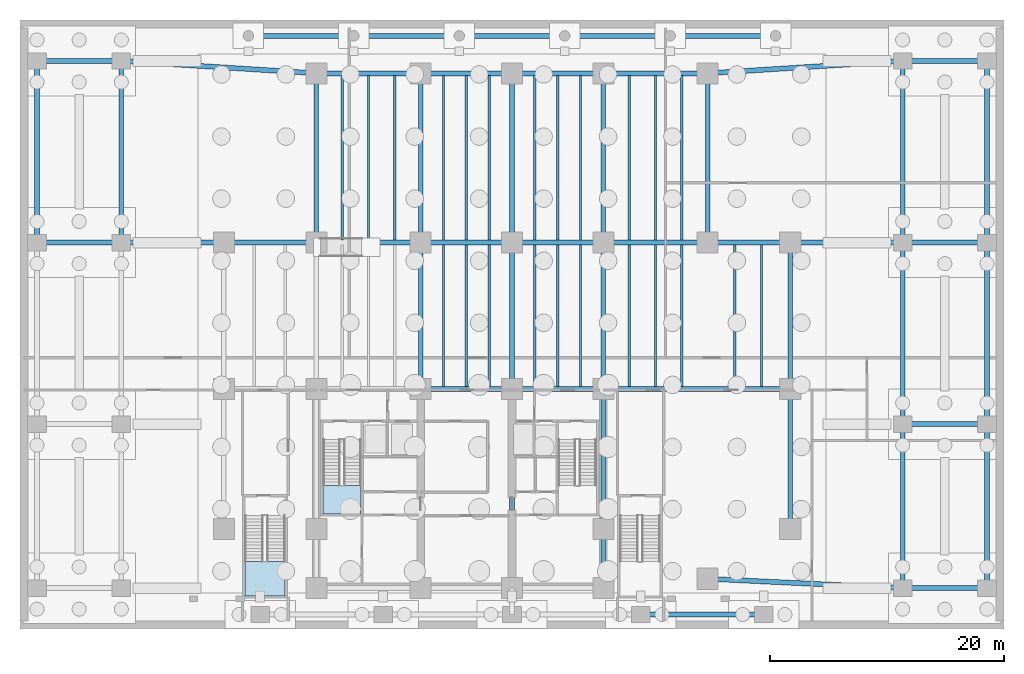
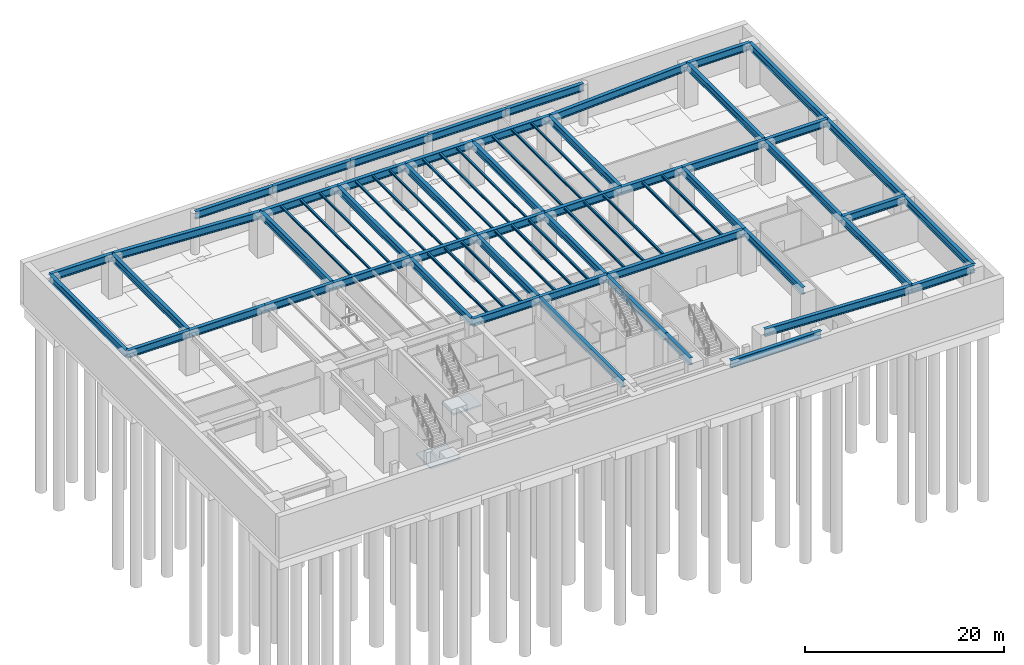
# One storey, part 3 of 12: 74 beams, 2 slabs, 2 elements without a shape of their own.
"""IFC4 building model written with IfcOpenShell, lengths in metres."""

from ifc_helpers import new_model, si_unit, direction, frame, origin, origin_2d, place, context, subcontext, project, spatial, polyline, i_section, outline, extrude, material, layer, layer_set, material_profile, profile_set, type_object, element, aggregate, save


model = new_model("IFC4")

# Units and contexts
model_context = context("Model", 3, precision=1e-05, world=origin(), true_north=direction((0.0, 1.0)))
body_context = subcontext(model_context, "Body", "Model", "MODEL_VIEW")
ifc_project = project(units=[si_unit("LENGTHUNIT", "METRE"), si_unit("AREAUNIT", "SQUARE_METRE"), si_unit("VOLUMEUNIT", "CUBIC_METRE"), si_unit("PLANEANGLEUNIT", "RADIAN"), si_unit("MASSUNIT", "GRAM", prefix="KILO")], contexts=[model_context])

# Site, building, storey
site_placement = place(None, origin())
site = spatial("IfcSite", under=ifc_project, at=site_placement, CompositionType="ELEMENT")
building_placement = place(site_placement, origin())
building = spatial("IfcBuilding", under=site, at=building_placement, Name="Qalmaran Belvedere Hotel", CompositionType="ELEMENT")
storey_placement = place(building_placement, frame((0.0, 0.0, -5.39990234375)))
storey = spatial("IfcBuildingStorey", under=building, at=storey_placement, Name="B01", CompositionType="ELEMENT", Elevation=-5.39990234375)

# Beams
ifc_material_1 = material(Name="Steel S355JR", Category="steel")
ifc_material_profile_1 = material_profile(ifc_material_1, i_section(OverallWidth=0.201904296875, OverallDepth=0.2470703125, WebThickness=0.00732421875, FlangeThickness=0.010986328125, FilletRadius=0.011962890625, at=origin_2d()), Name="W250X49")
ifc_profile_set_1 = profile_set([ifc_material_profile_1], Name="Steel S355JR")
beam_type_1 = type_object("IfcBeamType", Name="BM-JST-W250X49", PredefinedType="JOIST", material=ifc_profile_set_1)
for number, where, z_axis, x_axis, name in (
    (1, (22.5, 33.2080078125, 4.926513671875), (0.0, 1.0, 0.0), (-1.0, 0.0, 0.0), "B01 Podium North-Ballroom Joist 080"),
    (2, (24.75, 33.2080078125, 4.926513671875), (0.0, 1.0, 0.0), (-1.0, 0.0, 0.0), "B01 Podium North-Ballroom Joist 082"),
    (3, (27.0, 33.2080078125, 4.926513671875), (0.0, 1.0, 0.0), (-1.0, 0.0, 0.0), "B01 Podium North-Ballroom Joist 084"),
    (4, (31.14990234375, 33.2080078125, 4.926513671875), (0.0, 1.0, 0.0), (-1.0, 0.0, 0.0), "B01 Podium North-Ballroom Joist 086"),
    (5, (33.10009765625, 33.2080078125, 4.926513671875), (0.0, 1.0, 0.0), (-1.0, 0.0, 0.0), "B01 Podium North-Ballroom Joist 088"),
    (6, (35.050048828125, 33.2080078125, 4.926513671875), (0.0, 1.0, 0.0), (-1.0, 0.0, 0.0), "B01 Podium North-Ballroom Joist 090"),
    (7, (38.949951171875, 33.2080078125, 4.926513671875), (0.0, 1.0, 0.0), (-1.0, 0.0, 0.0), "B01 Podium North-Ballroom Joist 092"),
    (8, (40.89990234375, 33.2080078125, 4.926513671875), (0.0, 1.0, 0.0), (-1.0, 0.0, 0.0), "B01 Podium North-Ballroom Joist 094"),
    (9, (42.85009765625, 33.2080078125, 4.926513671875), (0.0, 1.0, 0.0), (-1.0, 0.0, 0.0), "B01 Podium North-Ballroom Joist 096"),
    (10, (47.0, 33.2080078125, 4.926513671875), (0.0, 1.0, 0.0), (-1.0, 0.0, 0.0), "B01 Podium North-Ballroom Joist 098"),
    (11, (49.25, 33.2080078125, 4.926513671875), (0.0, 1.0, 0.0), (-1.0, 0.0, 0.0), "B01 Podium North-Ballroom Joist 100"),
    (12, (51.5, 33.2080078125, 4.926513671875), (0.0, 1.0, 0.0), (-1.0, 0.0, 0.0), "B01 Podium North-Ballroom Joist 102"),
):
    element("IfcBeam", number, at=place(storey_placement, frame(where, z_axis=z_axis, x_axis=x_axis)), inside=storey, type_object=beam_type_1, Name=name, PredefinedType="JOIST", context=body_context, shape_type="SweptSolid", body=[
        extrude(i_section(OverallWidth=0.201904296875, OverallDepth=0.2470703125, WebThickness=0.00732421875, FlangeThickness=0.010986328125, FilletRadius=0.011962890625, at=origin_2d()), origin(), (0.0, 0.0, 1.0), 14.033935546875),
    ])
ifc_material_profile_2 = material_profile(ifc_material_1, i_section(OverallWidth=0.202880859375, OverallDepth=0.302978515625, WebThickness=0.007568359375, FlangeThickness=0.01318359375, FilletRadius=0.012939453125, at=origin_2d()), Name="W310X60")
ifc_profile_set_2 = profile_set([ifc_material_profile_2], Name="Steel S355JR")
beam_type_2 = type_object("IfcBeamType", Name="BM-JST-W310X60", PredefinedType="JOIST", material=ifc_profile_set_2)
for number, where, z_axis, x_axis, name in (
    (13, (31.14990234375, 20.7080078125, 4.8984375), (0.0, 1.0, 0.0), (-1.0, 0.0, 0.0), "B01 Podium South-Ballroom Joist 085"),
    (14, (33.10009765625, 20.7080078125, 4.8984375), (0.0, 1.0, 0.0), (-1.0, 0.0, 0.0), "B01 Podium South-Ballroom Joist 087"),
    (15, (35.050048828125, 20.7080078125, 4.8984375), (0.0, 1.0, 0.0), (-1.0, 0.0, 0.0), "B01 Podium South-Ballroom Joist 089"),
    (16, (38.949951171875, 20.7080078125, 4.8984375), (0.0, 1.0, 0.0), (-1.0, 0.0, 0.0), "B01 Podium South-Ballroom Joist 091"),
    (17, (40.89990234375, 20.7080078125, 4.8984375), (0.0, 1.0, 0.0), (-1.0, 0.0, 0.0), "B01 Podium South-Ballroom Joist 093"),
    (18, (42.85009765625, 20.7080078125, 4.8984375), (0.0, 1.0, 0.0), (-1.0, 0.0, 0.0), "B01 Podium South-Ballroom Joist 095"),
    (19, (47.0, 20.7080078125, 4.8984375), (0.0, 1.0, 0.0), (-1.0, 0.0, 0.0), "B01 Podium South-Ballroom Joist 097"),
    (20, (49.25, 20.7080078125, 4.8984375), (0.0, 1.0, 0.0), (-1.0, 0.0, 0.0), "B01 Podium South-Ballroom Joist 099"),
    (21, (51.5, 20.7080078125, 4.8984375), (0.0, 1.0, 0.0), (-1.0, 0.0, 0.0), "B01 Podium South-Ballroom Joist 101"),
    (22, (56.0, 20.7080078125, 4.8984375), (0.0, 1.0, 0.0), (-1.0, 0.0, 0.0), "B01 Podium South-Ballroom Joist 103"),
    (23, (58.300048828125, 20.7080078125, 4.8984375), (0.0, 1.0, 0.0), (-1.0, 0.0, 0.0), "B01 Podium South-Ballroom Joist 104"),
):
    element("IfcBeam", number, at=place(storey_placement, frame(where, z_axis=z_axis, x_axis=x_axis)), inside=storey, type_object=beam_type_2, Name=name, PredefinedType="JOIST", context=body_context, shape_type="SweptSolid", body=[
        extrude(i_section(OverallWidth=0.202880859375, OverallDepth=0.302978515625, WebThickness=0.007568359375, FlangeThickness=0.01318359375, FilletRadius=0.012939453125, at=origin_2d()), origin(), (0.0, 0.0, 1.0), 12.083984375),
    ])
ifc_material_profile_3 = material_profile(ifc_material_1, i_section(OverallWidth=0.419921875, OverallDepth=0.9208984375, WebThickness=0.021240234375, FlangeThickness=0.03662109375, FilletRadius=0.02392578125, at=origin_2d()), Name="W920X387")
ifc_profile_set_3 = profile_set([ifc_material_profile_3], Name="Steel S355JR")
beam_type_3 = type_object("IfcBeamType", Name="BM-PG1-W920X387", PredefinedType="USERDEFINED", material=ifc_profile_set_3)
beam_1_placement = place(storey_placement, frame((48.0, 1.25, 4.58935546875), z_axis=(1.0, 0.0, 0.0), x_axis=(0.0, 1.0, 0.0)))
element("IfcBeam", 24, at=beam_1_placement, inside=storey, type_object=beam_type_3, Name="B01 Podium Primary Girder GX04", ObjectType="GIRDER", PredefinedType="USERDEFINED", context=body_context, shape_type="SweptSolid", body=[
    extrude(i_section(OverallWidth=0.419921875, OverallDepth=0.9208984375, WebThickness=0.021240234375, FlangeThickness=0.03662109375, FilletRadius=0.02392578125, at=origin_2d()), origin(), (0.0, 0.0, 1.0), 10.5),
])
beam_2_placement = place(storey_placement, frame((53.699951171875, 4.300048828125, 4.58935546875), z_axis=(0.998847567159, -0.047995182885, 0.0), x_axis=(0.047995182885, 0.998847567159, 0.0)))
element("IfcBeam", 25, at=beam_2_placement, inside=storey, type_object=beam_type_3, Name="B01 Podium Primary Girder GX11", ObjectType="GIRDER", PredefinedType="USERDEFINED", context=body_context, shape_type="SweptSolid", body=[
    extrude(i_section(OverallWidth=0.419921875, OverallDepth=0.9208984375, WebThickness=0.021240234375, FlangeThickness=0.03662109375, FilletRadius=0.02392578125, at=origin_2d()), origin(), (0.0, 0.0, 1.0), 16.66943359375),
])
for number, where, z_axis, x_axis, name in (
    (26, (70.35009765625, 3.5, 4.58935546875), (1.0, 0.0, 0.0), (0.0, 1.0, 0.0), "B01 Podium Primary Girder GX12"),
    (27, (70.35009765625, 17.5, 4.58935546875), (1.0, 0.0, 0.0), (0.0, 1.0, 0.0), "B01 Podium Primary Girder GX16"),
):
    element("IfcBeam", number, at=place(storey_placement, frame(where, z_axis=z_axis, x_axis=x_axis)), inside=storey, type_object=beam_type_3, Name=name, ObjectType="GIRDER", PredefinedType="USERDEFINED", context=body_context, shape_type="SweptSolid", body=[
        extrude(i_section(OverallWidth=0.419921875, OverallDepth=0.9208984375, WebThickness=0.021240234375, FlangeThickness=0.03662109375, FilletRadius=0.02392578125, at=origin_2d()), origin(), (0.0, 0.0, 1.0), 7.199951171875),
    ])
for number, where, z_axis, x_axis, name in (
    (28, (29.199951171875, 20.5, 4.58935546875), (1.0, 0.0, 0.0), (0.0, 1.0, 0.0), "B01 Podium Primary Girder GX19"),
    (29, (37.0, 20.5, 4.58935546875), (1.0, 0.0, 0.0), (0.0, 1.0, 0.0), "B01 Podium Primary Girder GX20"),
):
    element("IfcBeam", number, at=place(storey_placement, frame(where, z_axis=z_axis, x_axis=x_axis)), inside=storey, type_object=beam_type_3, Name=name, ObjectType="GIRDER", PredefinedType="USERDEFINED", context=body_context, shape_type="SweptSolid", body=[
        extrude(i_section(OverallWidth=0.419921875, OverallDepth=0.9208984375, WebThickness=0.021240234375, FlangeThickness=0.03662109375, FilletRadius=0.02392578125, at=origin_2d()), origin(), (0.0, 0.0, 1.0), 7.800048828125),
    ])
beam_3_placement = place(storey_placement, frame((44.800048828125, 20.5, 4.58935546875), z_axis=(1.0, 0.0, 0.0), x_axis=(0.0, 1.0, 0.0)))
element("IfcBeam", 30, at=beam_3_placement, inside=storey, type_object=beam_type_3, Name="B01 Podium Primary Girder GX21", ObjectType="GIRDER", PredefinedType="USERDEFINED", context=body_context, shape_type="SweptSolid", body=[
    extrude(i_section(OverallWidth=0.419921875, OverallDepth=0.9208984375, WebThickness=0.021240234375, FlangeThickness=0.03662109375, FilletRadius=0.02392578125, at=origin_2d()), origin(), (0.0, 0.0, 1.0), 15.949951171875),
])
beam_4_placement = place(storey_placement, frame((-3.550048828125, 33.0, 4.58935546875), z_axis=(1.0, 0.0, 0.0), x_axis=(0.0, 1.0, 0.0)))
element("IfcBeam", 31, at=beam_4_placement, inside=storey, type_object=beam_type_3, Name="B01 Podium Primary Girder GX22", ObjectType="GIRDER", PredefinedType="USERDEFINED", context=body_context, shape_type="SweptSolid", body=[
    extrude(i_section(OverallWidth=0.419921875, OverallDepth=0.9208984375, WebThickness=0.021240234375, FlangeThickness=0.03662109375, FilletRadius=0.02392578125, at=origin_2d()), origin(), (0.0, 0.0, 1.0), 7.199951171875),
])
beam_5_placement = place(storey_placement, frame((3.64990234375, 33.0, 4.58935546875), z_axis=(1.0, 0.0, 0.0), x_axis=(0.0, 1.0, 0.0)))
element("IfcBeam", 32, at=beam_5_placement, inside=storey, type_object=beam_type_3, Name="B01 Podium Primary Girder GX23", ObjectType="GIRDER", PredefinedType="USERDEFINED", context=body_context, shape_type="SweptSolid", body=[
    extrude(i_section(OverallWidth=0.419921875, OverallDepth=0.9208984375, WebThickness=0.021240234375, FlangeThickness=0.03662109375, FilletRadius=0.02392578125, at=origin_2d()), origin(), (0.0, 0.0, 1.0), 8.75),
])
beam_6_placement = place(storey_placement, frame((12.39990234375, 33.0, 4.58935546875), z_axis=(1.0, 0.0, 0.0), x_axis=(0.0, 1.0, 0.0)))
element("IfcBeam", 33, at=beam_6_placement, inside=storey, type_object=beam_type_3, Name="B01 Podium Primary Girder GX24", ObjectType="GIRDER", PredefinedType="USERDEFINED", context=body_context, shape_type="SweptSolid", body=[
    extrude(i_section(OverallWidth=0.419921875, OverallDepth=0.9208984375, WebThickness=0.021240234375, FlangeThickness=0.03662109375, FilletRadius=0.02392578125, at=origin_2d()), origin(), (0.0, 0.0, 1.0), 7.900146484375),
])
beam_7_placement = place(storey_placement, frame((20.300048828125, 33.0, 4.58935546875), z_axis=(1.0, 0.0, 0.0), x_axis=(0.0, 1.0, 0.0)))
element("IfcBeam", 34, at=beam_7_placement, inside=storey, type_object=beam_type_3, Name="B01 Podium Primary Girder GX25", ObjectType="GIRDER", PredefinedType="USERDEFINED", context=body_context, shape_type="SweptSolid", body=[
    extrude(i_section(OverallWidth=0.419921875, OverallDepth=0.9208984375, WebThickness=0.021240234375, FlangeThickness=0.03662109375, FilletRadius=0.02392578125, at=origin_2d()), origin(), (0.0, 0.0, 1.0), 8.89990234375),
])
for number, where, z_axis, x_axis, name in (
    (35, (29.199951171875, 33.0, 4.58935546875), (1.0, 0.0, 0.0), (0.0, 1.0, 0.0), "B01 Podium Primary Girder GX26"),
    (36, (37.0, 33.0, 4.58935546875), (1.0, 0.0, 0.0), (0.0, 1.0, 0.0), "B01 Podium Primary Girder GX27"),
):
    element("IfcBeam", number, at=place(storey_placement, frame(where, z_axis=z_axis, x_axis=x_axis)), inside=storey, type_object=beam_type_3, Name=name, ObjectType="GIRDER", PredefinedType="USERDEFINED", context=body_context, shape_type="SweptSolid", body=[
        extrude(i_section(OverallWidth=0.419921875, OverallDepth=0.9208984375, WebThickness=0.021240234375, FlangeThickness=0.03662109375, FilletRadius=0.02392578125, at=origin_2d()), origin(), (0.0, 0.0, 1.0), 7.800048828125),
    ])
beam_8_placement = place(storey_placement, frame((44.800048828125, 33.0, 4.58935546875), z_axis=(1.0, 0.0, 0.0), x_axis=(0.0, 1.0, 0.0)))
element("IfcBeam", 37, at=beam_8_placement, inside=storey, type_object=beam_type_3, Name="B01 Podium Primary Girder GX28", ObjectType="GIRDER", PredefinedType="USERDEFINED", context=body_context, shape_type="SweptSolid", body=[
    extrude(i_section(OverallWidth=0.419921875, OverallDepth=0.9208984375, WebThickness=0.021240234375, FlangeThickness=0.03662109375, FilletRadius=0.02392578125, at=origin_2d()), origin(), (0.0, 0.0, 1.0), 8.89990234375),
])
beam_9_placement = place(storey_placement, frame((53.699951171875, 33.0, 4.58935546875), z_axis=(1.0, 0.0, 0.0), x_axis=(0.0, 1.0, 0.0)))
element("IfcBeam", 38, at=beam_9_placement, inside=storey, type_object=beam_type_3, Name="B01 Podium Primary Girder GX29", ObjectType="GIRDER", PredefinedType="USERDEFINED", context=body_context, shape_type="SweptSolid", body=[
    extrude(i_section(OverallWidth=0.419921875, OverallDepth=0.9208984375, WebThickness=0.021240234375, FlangeThickness=0.03662109375, FilletRadius=0.02392578125, at=origin_2d()), origin(), (0.0, 0.0, 1.0), 7.050048828125),
])
beam_10_placement = place(storey_placement, frame((60.75, 33.0, 4.58935546875), z_axis=(1.0, 0.0, 0.0), x_axis=(0.0, 1.0, 0.0)))
element("IfcBeam", 39, at=beam_10_placement, inside=storey, type_object=beam_type_3, Name="B01 Podium Primary Girder GX30", ObjectType="GIRDER", PredefinedType="USERDEFINED", context=body_context, shape_type="SweptSolid", body=[
    extrude(i_section(OverallWidth=0.419921875, OverallDepth=0.9208984375, WebThickness=0.021240234375, FlangeThickness=0.03662109375, FilletRadius=0.02392578125, at=origin_2d()), origin(), (0.0, 0.0, 1.0), 9.60009765625),
])
for number, where, z_axis, x_axis, name in (
    (40, (70.35009765625, 33.0, 4.58935546875), (1.0, 0.0, 0.0), (0.0, 1.0, 0.0), "B01 Podium Primary Girder GX31"),
    (41, (-3.550048828125, 48.5, 4.58935546875), (1.0, 0.0, 0.0), (0.0, 1.0, 0.0), "B01 Podium Primary Girder GX32"),
):
    element("IfcBeam", number, at=place(storey_placement, frame(where, z_axis=z_axis, x_axis=x_axis)), inside=storey, type_object=beam_type_3, Name=name, ObjectType="GIRDER", PredefinedType="USERDEFINED", context=body_context, shape_type="SweptSolid", body=[
        extrude(i_section(OverallWidth=0.419921875, OverallDepth=0.9208984375, WebThickness=0.021240234375, FlangeThickness=0.03662109375, FilletRadius=0.02392578125, at=origin_2d()), origin(), (0.0, 0.0, 1.0), 7.199951171875),
    ])
beam_11_placement = place(storey_placement, frame((3.64990234375, 48.5, 4.58935546875), z_axis=(0.998017287437, -0.0629404002, 0.0), x_axis=(0.0629404002, 0.998017287437, 0.0)))
element("IfcBeam", 42, at=beam_11_placement, inside=storey, type_object=beam_type_3, Name="B01 Podium Primary Girder GX33", ObjectType="GIRDER", PredefinedType="USERDEFINED", context=body_context, shape_type="SweptSolid", body=[
    extrude(i_section(OverallWidth=0.419921875, OverallDepth=0.9208984375, WebThickness=0.021240234375, FlangeThickness=0.03662109375, FilletRadius=0.02392578125, at=origin_2d()), origin(), (0.0, 0.0, 1.0), 16.68310546875),
])
beam_12_placement = place(storey_placement, frame((20.300048828125, 47.449951171875, 4.58935546875), z_axis=(1.0, 0.0, 0.0), x_axis=(0.0, 1.0, 0.0)))
element("IfcBeam", 43, at=beam_12_placement, inside=storey, type_object=beam_type_3, Name="B01 Podium Primary Girder GX34", ObjectType="GIRDER", PredefinedType="USERDEFINED", context=body_context, shape_type="SweptSolid", body=[
    extrude(i_section(OverallWidth=0.419921875, OverallDepth=0.9208984375, WebThickness=0.021240234375, FlangeThickness=0.03662109375, FilletRadius=0.02392578125, at=origin_2d()), origin(), (0.0, 0.0, 1.0), 8.89990234375),
])
for number, where, z_axis, x_axis, name in (
    (44, (29.199951171875, 47.449951171875, 4.58935546875), (1.0, 0.0, 0.0), (0.0, 1.0, 0.0), "B01 Podium Primary Girder GX35"),
    (45, (37.0, 47.449951171875, 4.58935546875), (1.0, 0.0, 0.0), (0.0, 1.0, 0.0), "B01 Podium Primary Girder GX36"),
):
    element("IfcBeam", number, at=place(storey_placement, frame(where, z_axis=z_axis, x_axis=x_axis)), inside=storey, type_object=beam_type_3, Name=name, ObjectType="GIRDER", PredefinedType="USERDEFINED", context=body_context, shape_type="SweptSolid", body=[
        extrude(i_section(OverallWidth=0.419921875, OverallDepth=0.9208984375, WebThickness=0.021240234375, FlangeThickness=0.03662109375, FilletRadius=0.02392578125, at=origin_2d()), origin(), (0.0, 0.0, 1.0), 7.800048828125),
    ])
beam_13_placement = place(storey_placement, frame((44.800048828125, 47.449951171875, 4.58935546875), z_axis=(1.0, 0.0, 0.0), x_axis=(0.0, 1.0, 0.0)))
element("IfcBeam", 46, at=beam_13_placement, inside=storey, type_object=beam_type_3, Name="B01 Podium Primary Girder GX37", ObjectType="GIRDER", PredefinedType="USERDEFINED", context=body_context, shape_type="SweptSolid", body=[
    extrude(i_section(OverallWidth=0.419921875, OverallDepth=0.9208984375, WebThickness=0.021240234375, FlangeThickness=0.03662109375, FilletRadius=0.02392578125, at=origin_2d()), origin(), (0.0, 0.0, 1.0), 8.89990234375),
])
beam_14_placement = place(storey_placement, frame((53.699951171875, 47.449951171875, 4.58935546875), z_axis=(0.998017287437, 0.0629404002, 0.0), x_axis=(-0.0629404002, 0.998017287437, 0.0)))
element("IfcBeam", 47, at=beam_14_placement, inside=storey, type_object=beam_type_3, Name="B01 Podium Primary Girder GX38", ObjectType="GIRDER", PredefinedType="USERDEFINED", context=body_context, shape_type="SweptSolid", body=[
    extrude(i_section(OverallWidth=0.419921875, OverallDepth=0.9208984375, WebThickness=0.021240234375, FlangeThickness=0.03662109375, FilletRadius=0.02392578125, at=origin_2d()), origin(), (0.0, 0.0, 1.0), 16.68310546875),
])
beam_15_placement = place(storey_placement, frame((70.35009765625, 48.5, 4.58935546875), z_axis=(1.0, 0.0, 0.0), x_axis=(0.0, 1.0, 0.0)))
element("IfcBeam", 48, at=beam_15_placement, inside=storey, type_object=beam_type_3, Name="B01 Podium Primary Girder GX39", ObjectType="GIRDER", PredefinedType="USERDEFINED", context=body_context, shape_type="SweptSolid", body=[
    extrude(i_section(OverallWidth=0.419921875, OverallDepth=0.9208984375, WebThickness=0.021240234375, FlangeThickness=0.03662109375, FilletRadius=0.02392578125, at=origin_2d()), origin(), (0.0, 0.0, 1.0), 7.199951171875),
])
for number, where, z_axis, x_axis, name in (
    (49, (14.5, 50.64990234375, 4.58935546875), (1.0, 0.0, 0.0), (0.0, 1.0, 0.0), "B01 Podium Primary Girder GX40"),
    (50, (23.5, 50.64990234375, 4.58935546875), (1.0, 0.0, 0.0), (0.0, 1.0, 0.0), "B01 Podium Primary Girder GX41"),
    (51, (32.5, 50.64990234375, 4.58935546875), (1.0, 0.0, 0.0), (0.0, 1.0, 0.0), "B01 Podium Primary Girder GX42"),
    (52, (41.5, 50.64990234375, 4.58935546875), (1.0, 0.0, 0.0), (0.0, 1.0, 0.0), "B01 Podium Primary Girder GX43"),
    (53, (50.5, 50.64990234375, 4.58935546875), (1.0, 0.0, 0.0), (0.0, 1.0, 0.0), "B01 Podium Primary Girder GX44"),
):
    element("IfcBeam", number, at=place(storey_placement, frame(where, z_axis=z_axis, x_axis=x_axis)), inside=storey, type_object=beam_type_3, Name=name, ObjectType="GIRDER", PredefinedType="USERDEFINED", context=body_context, shape_type="SweptSolid", body=[
        extrude(i_section(OverallWidth=0.419921875, OverallDepth=0.9208984375, WebThickness=0.021240234375, FlangeThickness=0.03662109375, FilletRadius=0.02392578125, at=origin_2d()), origin(), (0.0, 0.0, 1.0), 9.0),
    ])
ifc_material_profile_4 = material_profile(ifc_material_1, i_section(OverallWidth=0.39990234375, OverallDepth=0.85498046875, WebThickness=0.018310546875, FlangeThickness=0.029296875, FilletRadius=0.02392578125, at=origin_2d()), Name="W840X299")
ifc_profile_set_4 = profile_set([ifc_material_profile_4], Name="Steel S355JR")
beam_type_4 = type_object("IfcBeamType", Name="BM-PG3-W840X299", PredefinedType="USERDEFINED", material=ifc_profile_set_4)
for number, where, z_axis, x_axis, name in (
    (54, (-3.550048828125, 33.0, 4.622314453125), (0.0, 1.0, 0.0), (-1.0, 0.0, 0.0), "B01 Podium Transverse Girder GY47"),
    (55, (3.64990234375, 33.0, 4.622314453125), (0.0, 1.0, 0.0), (-1.0, 0.0, 0.0), "B01 Podium Transverse Girder GY50"),
):
    element("IfcBeam", number, at=place(storey_placement, frame(where, z_axis=z_axis, x_axis=x_axis)), inside=storey, type_object=beam_type_4, Name=name, ObjectType="GIRDER", PredefinedType="USERDEFINED", context=body_context, shape_type="SweptSolid", body=[
        extrude(i_section(OverallWidth=0.39990234375, OverallDepth=0.85498046875, WebThickness=0.018310546875, FlangeThickness=0.029296875, FilletRadius=0.02392578125, at=origin_2d()), origin(), (0.0, 0.0, 1.0), 15.5),
    ])
beam_16_placement = place(storey_placement, frame((20.300048828125, 33.0, 4.622314453125), z_axis=(0.0, 1.0, 0.0), x_axis=(-1.0, 0.0, 0.0)))
element("IfcBeam", 56, at=beam_16_placement, inside=storey, type_object=beam_type_4, Name="B01 Podium Transverse Girder GY56", ObjectType="GIRDER", PredefinedType="USERDEFINED", context=body_context, shape_type="SweptSolid", body=[
    extrude(i_section(OverallWidth=0.39990234375, OverallDepth=0.85498046875, WebThickness=0.018310546875, FlangeThickness=0.029296875, FilletRadius=0.02392578125, at=origin_2d()), origin(), (0.0, 0.0, 1.0), 14.449951171875),
])
beam_17_placement = place(storey_placement, frame((29.199951171875, 20.5, 4.622314453125), z_axis=(0.0, 1.0, 0.0), x_axis=(-1.0, 0.0, 0.0)))
element("IfcBeam", 57, at=beam_17_placement, inside=storey, type_object=beam_type_4, Name="B01 Podium Transverse Girder GY58", ObjectType="GIRDER", PredefinedType="USERDEFINED", context=body_context, shape_type="SweptSolid", body=[
    extrude(i_section(OverallWidth=0.39990234375, OverallDepth=0.85498046875, WebThickness=0.018310546875, FlangeThickness=0.029296875, FilletRadius=0.02392578125, at=origin_2d()), origin(), (0.0, 0.0, 1.0), 12.5),
])
beam_18_placement = place(storey_placement, frame((29.199951171875, 33.0, 4.622314453125), z_axis=(0.0, 1.0, 0.0), x_axis=(-1.0, 0.0, 0.0)))
element("IfcBeam", 58, at=beam_18_placement, inside=storey, type_object=beam_type_4, Name="B01 Podium Transverse Girder GY59", ObjectType="GIRDER", PredefinedType="USERDEFINED", context=body_context, shape_type="SweptSolid", body=[
    extrude(i_section(OverallWidth=0.39990234375, OverallDepth=0.85498046875, WebThickness=0.018310546875, FlangeThickness=0.029296875, FilletRadius=0.02392578125, at=origin_2d()), origin(), (0.0, 0.0, 1.0), 14.449951171875),
])
beam_19_placement = place(storey_placement, frame((37.0, 3.5, 4.622314453125), z_axis=(0.0, 1.0, 0.0), x_axis=(-1.0, 0.0, 0.0)))
element("IfcBeam", 59, at=beam_19_placement, inside=storey, type_object=beam_type_4, Name="B01 Podium Transverse Girder GY61", ObjectType="GIRDER", PredefinedType="USERDEFINED", context=body_context, shape_type="SweptSolid", body=[
    extrude(i_section(OverallWidth=0.39990234375, OverallDepth=0.85498046875, WebThickness=0.018310546875, FlangeThickness=0.029296875, FilletRadius=0.02392578125, at=origin_2d()), origin(), (0.0, 0.0, 1.0), 17.0),
])
beam_20_placement = place(storey_placement, frame((37.0, 20.5, 4.622314453125), z_axis=(0.0, 1.0, 0.0), x_axis=(-1.0, 0.0, 0.0)))
element("IfcBeam", 60, at=beam_20_placement, inside=storey, type_object=beam_type_4, Name="B01 Podium Transverse Girder GY62", ObjectType="GIRDER", PredefinedType="USERDEFINED", context=body_context, shape_type="SweptSolid", body=[
    extrude(i_section(OverallWidth=0.39990234375, OverallDepth=0.85498046875, WebThickness=0.018310546875, FlangeThickness=0.029296875, FilletRadius=0.02392578125, at=origin_2d()), origin(), (0.0, 0.0, 1.0), 12.5),
])
beam_21_placement = place(storey_placement, frame((37.0, 33.0, 4.622314453125), z_axis=(0.0, 1.0, 0.0), x_axis=(-1.0, 0.0, 0.0)))
element("IfcBeam", 61, at=beam_21_placement, inside=storey, type_object=beam_type_4, Name="B01 Podium Transverse Girder GY63", ObjectType="GIRDER", PredefinedType="USERDEFINED", context=body_context, shape_type="SweptSolid", body=[
    extrude(i_section(OverallWidth=0.39990234375, OverallDepth=0.85498046875, WebThickness=0.018310546875, FlangeThickness=0.029296875, FilletRadius=0.02392578125, at=origin_2d()), origin(), (0.0, 0.0, 1.0), 14.449951171875),
])
beam_22_placement = place(storey_placement, frame((44.800048828125, 3.5, 4.622314453125), z_axis=(0.0, 1.0, 0.0), x_axis=(-1.0, 0.0, 0.0)))
element("IfcBeam", 62, at=beam_22_placement, inside=storey, type_object=beam_type_4, Name="B01 Podium Transverse Girder GY64", ObjectType="GIRDER", PredefinedType="USERDEFINED", context=body_context, shape_type="SweptSolid", body=[
    extrude(i_section(OverallWidth=0.39990234375, OverallDepth=0.85498046875, WebThickness=0.018310546875, FlangeThickness=0.029296875, FilletRadius=0.02392578125, at=origin_2d()), origin(), (0.0, 0.0, 1.0), 5.050048828125),
])
beam_23_placement = place(storey_placement, frame((44.800048828125, 8.550048828125, 4.622314453125), z_axis=(0.0, 1.0, 0.0), x_axis=(-1.0, 0.0, 0.0)))
element("IfcBeam", 63, at=beam_23_placement, inside=storey, type_object=beam_type_4, Name="B01 Podium Transverse Girder GY65", ObjectType="GIRDER", PredefinedType="USERDEFINED", context=body_context, shape_type="SweptSolid", body=[
    extrude(i_section(OverallWidth=0.39990234375, OverallDepth=0.85498046875, WebThickness=0.018310546875, FlangeThickness=0.029296875, FilletRadius=0.02392578125, at=origin_2d()), origin(), (0.0, 0.0, 1.0), 11.949951171875),
])
beam_24_placement = place(storey_placement, frame((44.800048828125, 20.5, 4.622314453125), z_axis=(0.0, 1.0, 0.0), x_axis=(-1.0, 0.0, 0.0)))
element("IfcBeam", 64, at=beam_24_placement, inside=storey, type_object=beam_type_4, Name="B01 Podium Transverse Girder GY66", ObjectType="GIRDER", PredefinedType="USERDEFINED", context=body_context, shape_type="SweptSolid", body=[
    extrude(i_section(OverallWidth=0.39990234375, OverallDepth=0.85498046875, WebThickness=0.018310546875, FlangeThickness=0.029296875, FilletRadius=0.02392578125, at=origin_2d()), origin(), (0.0, 0.0, 1.0), 12.5),
])
for number, where, z_axis, x_axis, name in (
    (65, (44.800048828125, 33.0, 4.622314453125), (0.0, 1.0, 0.0), (-1.0, 0.0, 0.0), "B01 Podium Transverse Girder GY67"),
    (66, (53.699951171875, 33.0, 4.622314453125), (0.0, 1.0, 0.0), (-1.0, 0.0, 0.0), "B01 Podium Transverse Girder GY68"),
):
    element("IfcBeam", number, at=place(storey_placement, frame(where, z_axis=z_axis, x_axis=x_axis)), inside=storey, type_object=beam_type_4, Name=name, ObjectType="GIRDER", PredefinedType="USERDEFINED", context=body_context, shape_type="SweptSolid", body=[
        extrude(i_section(OverallWidth=0.39990234375, OverallDepth=0.85498046875, WebThickness=0.018310546875, FlangeThickness=0.029296875, FilletRadius=0.02392578125, at=origin_2d()), origin(), (0.0, 0.0, 1.0), 14.449951171875),
    ])
beam_25_placement = place(storey_placement, frame((60.75, 8.550048828125, 4.622314453125), z_axis=(0.0, 1.0, 0.0), x_axis=(-1.0, 0.0, 0.0)))
element("IfcBeam", 67, at=beam_25_placement, inside=storey, type_object=beam_type_4, Name="B01 Podium Transverse Girder GY69", ObjectType="GIRDER", PredefinedType="USERDEFINED", context=body_context, shape_type="SweptSolid", body=[
    extrude(i_section(OverallWidth=0.39990234375, OverallDepth=0.85498046875, WebThickness=0.018310546875, FlangeThickness=0.029296875, FilletRadius=0.02392578125, at=origin_2d()), origin(), (0.0, 0.0, 1.0), 11.949951171875),
])
beam_26_placement = place(storey_placement, frame((60.75, 20.5, 4.622314453125), z_axis=(0.0, 1.0, 0.0), x_axis=(-1.0, 0.0, 0.0)))
element("IfcBeam", 68, at=beam_26_placement, inside=storey, type_object=beam_type_4, Name="B01 Podium Transverse Girder GY70", ObjectType="GIRDER", PredefinedType="USERDEFINED", context=body_context, shape_type="SweptSolid", body=[
    extrude(i_section(OverallWidth=0.39990234375, OverallDepth=0.85498046875, WebThickness=0.018310546875, FlangeThickness=0.029296875, FilletRadius=0.02392578125, at=origin_2d()), origin(), (0.0, 0.0, 1.0), 12.5),
])
beam_27_placement = place(storey_placement, frame((70.35009765625, 3.5, 4.622314453125), z_axis=(0.0, 1.0, 0.0), x_axis=(-1.0, 0.0, 0.0)))
element("IfcBeam", 69, at=beam_27_placement, inside=storey, type_object=beam_type_4, Name="B01 Podium Transverse Girder GY71", ObjectType="GIRDER", PredefinedType="USERDEFINED", context=body_context, shape_type="SweptSolid", body=[
    extrude(i_section(OverallWidth=0.39990234375, OverallDepth=0.85498046875, WebThickness=0.018310546875, FlangeThickness=0.029296875, FilletRadius=0.02392578125, at=origin_2d()), origin(), (0.0, 0.0, 1.0), 14.0),
])
for number, where, z_axis, x_axis, name in (
    (70, (70.35009765625, 17.5, 4.622314453125), (0.0, 1.0, 0.0), (-1.0, 0.0, 0.0), "B01 Podium Transverse Girder GY72"),
    (71, (70.35009765625, 33.0, 4.622314453125), (0.0, 1.0, 0.0), (-1.0, 0.0, 0.0), "B01 Podium Transverse Girder GY73"),
):
    element("IfcBeam", number, at=place(storey_placement, frame(where, z_axis=z_axis, x_axis=x_axis)), inside=storey, type_object=beam_type_4, Name=name, ObjectType="GIRDER", PredefinedType="USERDEFINED", context=body_context, shape_type="SweptSolid", body=[
        extrude(i_section(OverallWidth=0.39990234375, OverallDepth=0.85498046875, WebThickness=0.018310546875, FlangeThickness=0.029296875, FilletRadius=0.02392578125, at=origin_2d()), origin(), (0.0, 0.0, 1.0), 15.5),
    ])
beam_28_placement = place(storey_placement, frame((77.550048828125, 3.5, 4.622314453125), z_axis=(0.0, 1.0, 0.0), x_axis=(-1.0, 0.0, 0.0)))
element("IfcBeam", 72, at=beam_28_placement, inside=storey, type_object=beam_type_4, Name="B01 Podium Transverse Girder GY74", ObjectType="GIRDER", PredefinedType="USERDEFINED", context=body_context, shape_type="SweptSolid", body=[
    extrude(i_section(OverallWidth=0.39990234375, OverallDepth=0.85498046875, WebThickness=0.018310546875, FlangeThickness=0.029296875, FilletRadius=0.02392578125, at=origin_2d()), origin(), (0.0, 0.0, 1.0), 14.0),
])
for number, where, z_axis, x_axis, name in (
    (73, (77.550048828125, 17.5, 4.622314453125), (0.0, 1.0, 0.0), (-1.0, 0.0, 0.0), "B01 Podium Transverse Girder GY75"),
    (74, (77.550048828125, 33.0, 4.622314453125), (0.0, 1.0, 0.0), (-1.0, 0.0, 0.0), "B01 Podium Transverse Girder GY76"),
):
    element("IfcBeam", number, at=place(storey_placement, frame(where, z_axis=z_axis, x_axis=x_axis)), inside=storey, type_object=beam_type_4, Name=name, ObjectType="GIRDER", PredefinedType="USERDEFINED", context=body_context, shape_type="SweptSolid", body=[
        extrude(i_section(OverallWidth=0.39990234375, OverallDepth=0.85498046875, WebThickness=0.018310546875, FlangeThickness=0.029296875, FilletRadius=0.02392578125, at=origin_2d()), origin(), (0.0, 0.0, 1.0), 15.5),
    ])

# Stair, slab
ifc_material_2 = material(Name="Concrete C40/50", Category="concrete")
stair_type_1 = type_object("IfcStairType", Name="STR-ST-1-1450-R1800", PredefinedType="HALF_TURN_STAIR", material=ifc_material_2)
stair_1_placement = place(storey_placement, origin())
stair_1 = element("IfcStair", 75, at=stair_1_placement, inside=storey, type_object=stair_type_1, Name="B01 West Core Exit Stair ST-1", PredefinedType="HALF_TURN_STAIR")
ifc_layer = layer(ifc_material_2, 0.199951171875, Name="Concrete C40/50")
ifc_layer_set = layer_set([ifc_layer], Name="Concrete C40/50")
slab_type = type_object("IfcSlabType", Name="SLB-STAIR-LANDING-200", PredefinedType="LANDING", material=ifc_layer_set)
slab_1_placement = place(storey_placement, frame((0.0, 0.0, 2.5)))
slab_1 = element("IfcSlab", 76, at=slab_1_placement, type_object=slab_type, Name="ST-1 landing 1", PredefinedType="LANDING", context=body_context, shape_type="SweptSolid", body=[
    extrude(outline(polyline([(20.8798828125, 12.27001953125), (20.8798828125, 9.85009765625), (24.1201171875, 9.85009765625), (24.1201171875, 12.27001953125), (20.8798828125, 12.27001953125)])), origin(), (0.0, 0.0, 1.0), 0.199951171875),
])
aggregate(stair_1, [slab_1])

stair_type_2 = type_object("IfcStairType", Name="STR-ST-P1-1550-R1800", PredefinedType="HALF_TURN_STAIR", material=ifc_material_2)
stair_2_placement = place(storey_placement, origin())
stair_2 = element("IfcStair", 77, at=stair_2_placement, inside=storey, type_object=stair_type_2, Name="B01 West Podium Exit Stair ST-P1", PredefinedType="HALF_TURN_STAIR")
slab_2_placement = place(storey_placement, frame((0.0, 0.0, 2.5)))
slab_2 = element("IfcSlab", 78, at=slab_2_placement, type_object=slab_type, Name="ST-P1 landing 1", PredefinedType="LANDING", context=body_context, shape_type="SweptSolid", body=[
    extrude(outline(polyline([(14.199951171875, 5.780029296875), (14.199951171875, 2.85009765625), (17.639892578125, 2.85009765625), (17.639892578125, 5.780029296875), (14.199951171875, 5.780029296875)])), origin(), (0.0, 0.0, 1.0), 0.199951171875),
])
aggregate(stair_2, [slab_2])

save(model, "model.ifc")
